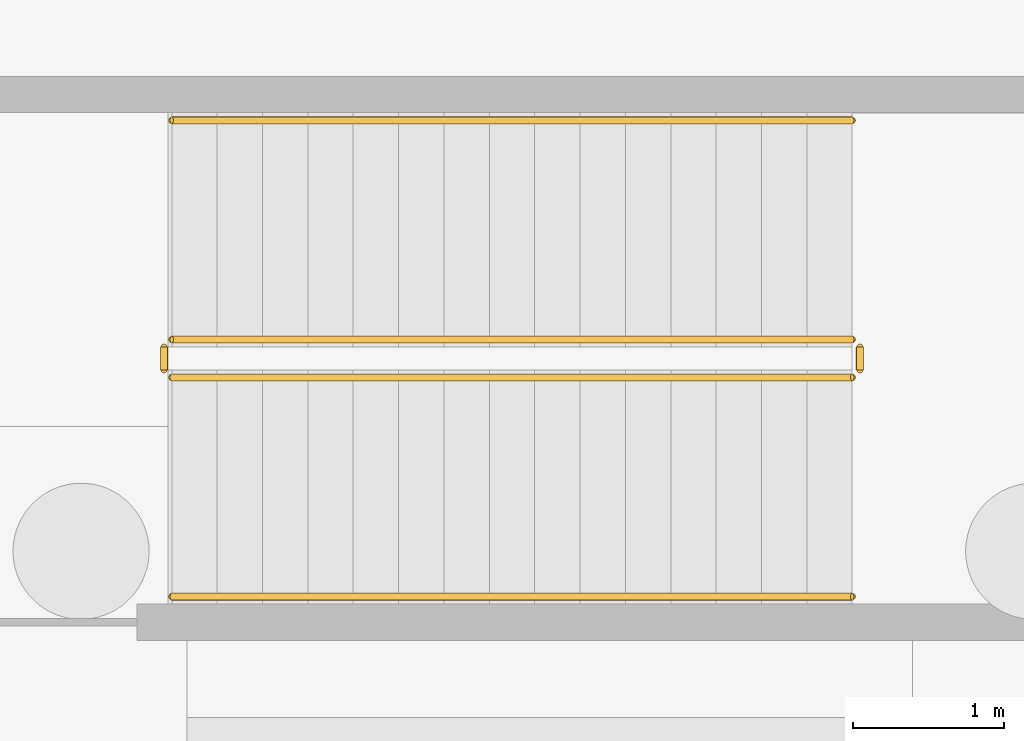
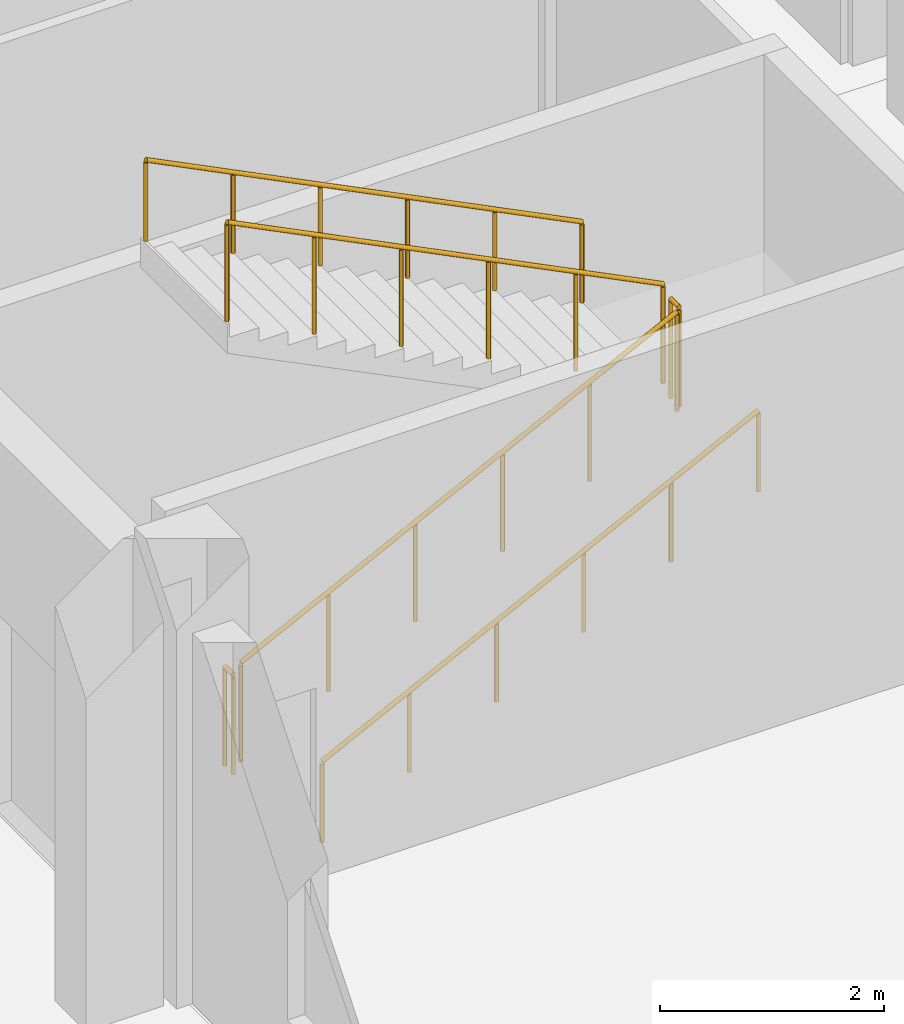
# One storey, part 89 of 112: 6 railings.
"""IFC4 building model written with IfcOpenShell, lengths in metres."""

from ifc_helpers import new_model, si_unit, direction, frame, origin, origin_2d, place, context, subcontext, project, spatial, circle, extrude, material, type_object, element, save


model = new_model("IFC4")

# Units and contexts
model_context = context("Model", 3, precision=1e-05, world=origin(), true_north=direction((0.0, 1.0)))
body_context = subcontext(model_context, "Body", "Model", "MODEL_VIEW")
ifc_project = project(units=[si_unit("LENGTHUNIT", "METRE"), si_unit("AREAUNIT", "SQUARE_METRE"), si_unit("VOLUMEUNIT", "CUBIC_METRE"), si_unit("PLANEANGLEUNIT", "RADIAN"), si_unit("MASSUNIT", "GRAM", prefix="KILO")], contexts=[model_context])

# Site, building, storey
site_placement = place(None, origin())
site = spatial("IfcSite", under=ifc_project, at=site_placement, CompositionType="ELEMENT")
building_placement = place(site_placement, origin())
building = spatial("IfcBuilding", under=site, at=building_placement, Name="Tharagai Park Tramway Depot", CompositionType="ELEMENT")
storey_placement = place(building_placement, origin())
storey = spatial("IfcBuildingStorey", under=building, at=storey_placement, Name="L00", CompositionType="ELEMENT", Elevation=0.0)

# Railings
ifc_material = material(Name="Galvanised steel", Category="steel")
railing_type_1 = type_object("IfcRailingType", Name="HR-02", PredefinedType="GUARDRAIL", material=ifc_material)
railing_1_placement = place(storey_placement, frame((1.949951171875, 20.5, 0.14990234375)))
element("IfcRailing", 1, at=railing_1_placement, inside=storey, type_object=railing_type_1, Name="L00 ST-03 stair guard 1", PredefinedType="GUARDRAIL", context=body_context, shape_type="SweptSolid", body=[
    extrude(circle(Radius=0.02392578125, at=origin_2d()), frame((0.0, 0.0, 1.076171875), z_axis=(0.894427191, 0.0, 0.4472135955), x_axis=(0.0, 1.0, 0.0)), (0.0, 0.0, 1.0), 5.03125),
    extrude(circle(Radius=0.02099609375, at=origin_2d()), origin(), (0.0, 0.0, 1.0), 1.052001953125),
    extrude(circle(Radius=0.02099609375, at=origin_2d()), frame((0.89990234375, 0.0, 0.449951171875)), (0.0, 0.0, 1.0), 1.052001953125),
    extrude(circle(Radius=0.02099609375, at=origin_2d()), frame((1.800048828125, 0.0, 0.89990234375)), (0.0, 0.0, 1.0), 1.052001953125),
    extrude(circle(Radius=0.02099609375, at=origin_2d()), frame((2.699951171875, 0.0, 1.35009765625)), (0.0, 0.0, 1.0), 1.052001953125),
    extrude(circle(Radius=0.02099609375, at=origin_2d()), frame((3.60009765625, 0.0, 1.800048828125)), (0.0, 0.0, 1.0), 1.052001953125),
    extrude(circle(Radius=0.02099609375, at=origin_2d()), frame((4.5, 0.0, 2.25)), (0.0, 0.0, 1.0), 1.052001953125),
])
railing_2_placement = place(storey_placement, frame((6.5, 20.550048828125, 2.39990234375)))
element("IfcRailing", 2, at=railing_2_placement, inside=storey, type_object=railing_type_1, Name="L00 ST-03 stair guard 2", PredefinedType="GUARDRAIL", context=body_context, shape_type="SweptSolid", body=[
    extrude(circle(Radius=0.02392578125, at=origin_2d()), frame((0.0, 0.0, 1.076171875), z_axis=(0.0, 1.0, 0.0), x_axis=(-1.0, 0.0, 0.0)), (0.0, 0.0, 1.0), 0.14990234375),
    extrude(circle(Radius=0.02099609375, at=origin_2d()), origin(), (0.0, 0.0, 1.0), 1.052001953125),
    extrude(circle(Radius=0.02099609375, at=origin_2d()), frame((0.0, 0.14990234375, 0.0)), (0.0, 0.0, 1.0), 1.052001953125),
])
railing_3_placement = place(storey_placement, frame((6.449951171875, 20.75, 2.550048828125)))
element("IfcRailing", 3, at=railing_3_placement, inside=storey, type_object=railing_type_1, Name="L00 ST-03 stair guard 3", PredefinedType="GUARDRAIL", context=body_context, shape_type="SweptSolid", body=[
    extrude(circle(Radius=0.02392578125, at=origin_2d()), frame((0.0, 0.0, 1.076171875), z_axis=(-0.894427191, 0.0, 0.4472135955), x_axis=(0.0, -1.0, 0.0)), (0.0, 0.0, 1.0), 5.03125),
    extrude(circle(Radius=0.02099609375, at=origin_2d()), origin(), (0.0, 0.0, 1.0), 1.052001953125),
    extrude(circle(Radius=0.02099609375, at=origin_2d()), frame((-0.89990234375, 0.0, 0.449951171875)), (0.0, 0.0, 1.0), 1.052001953125),
    extrude(circle(Radius=0.02099609375, at=origin_2d()), frame((-1.800048828125, 0.0, 0.89990234375)), (0.0, 0.0, 1.0), 1.052001953125),
    extrude(circle(Radius=0.02099609375, at=origin_2d()), frame((-2.699951171875, 0.0, 1.35009765625)), (0.0, 0.0, 1.0), 1.052001953125),
    extrude(circle(Radius=0.02099609375, at=origin_2d()), frame((-3.60009765625, 0.0, 1.800048828125)), (0.0, 0.0, 1.0), 1.052001953125),
    extrude(circle(Radius=0.02099609375, at=origin_2d()), frame((-4.5, 0.0, 2.25)), (0.0, 0.0, 1.0), 1.052001953125),
])
railing_4_placement = place(storey_placement, frame((1.89990234375, 20.550048828125, 0.0)))
element("IfcRailing", 4, at=railing_4_placement, inside=storey, type_object=railing_type_1, Name="L00 ST-03 stair guard 4", PredefinedType="GUARDRAIL", context=body_context, shape_type="SweptSolid", body=[
    extrude(circle(Radius=0.02392578125, at=origin_2d()), frame((0.0, 0.0, 1.076171875), z_axis=(0.0, 1.0, 0.0), x_axis=(-1.0, 0.0, 0.0)), (0.0, 0.0, 1.0), 0.14990234375),
    extrude(circle(Radius=0.02099609375, at=origin_2d()), origin(), (0.0, 0.0, 1.0), 1.052001953125),
    extrude(circle(Radius=0.02099609375, at=origin_2d()), frame((0.0, 0.14990234375, 0.0)), (0.0, 0.0, 1.0), 1.052001953125),
])
railing_type_2 = type_object("IfcRailingType", Name="HR-03", PredefinedType="HANDRAIL", material=ifc_material)
railing_5_placement = place(storey_placement, frame((1.949951171875, 19.050048828125, 0.14990234375)))
element("IfcRailing", 5, at=railing_5_placement, inside=storey, type_object=railing_type_2, Name="L00 ST-03 stair handrail 1", PredefinedType="HANDRAIL", context=body_context, shape_type="SweptSolid", body=[
    extrude(circle(Radius=0.02392578125, at=origin_2d()), frame((0.0, 0.0, 0.8759765625), z_axis=(0.894427191, 0.0, 0.4472135955), x_axis=(0.0, 1.0, 0.0)), (0.0, 0.0, 1.0), 5.03125),
    extrude(circle(Radius=0.02099609375, at=origin_2d()), origin(), (0.0, 0.0, 1.0), 0.851806640625),
    extrude(circle(Radius=0.02099609375, at=origin_2d()), frame((0.89990234375, 0.0, 0.449951171875)), (0.0, 0.0, 1.0), 0.851806640625),
    extrude(circle(Radius=0.02099609375, at=origin_2d()), frame((1.800048828125, 0.0, 0.89990234375)), (0.0, 0.0, 1.0), 0.851806640625),
    extrude(circle(Radius=0.02099609375, at=origin_2d()), frame((2.699951171875, 0.0, 1.35009765625)), (0.0, 0.0, 1.0), 0.851806640625),
    extrude(circle(Radius=0.02099609375, at=origin_2d()), frame((3.60009765625, 0.0, 1.800048828125)), (0.0, 0.0, 1.0), 0.851806640625),
    extrude(circle(Radius=0.02099609375, at=origin_2d()), frame((4.5, 0.0, 2.25)), (0.0, 0.0, 1.0), 0.851806640625),
])
railing_6_placement = place(storey_placement, frame((6.449951171875, 22.199951171875, 2.550048828125)))
element("IfcRailing", 6, at=railing_6_placement, inside=storey, type_object=railing_type_2, Name="L00 ST-03 stair handrail 2", PredefinedType="HANDRAIL", context=body_context, shape_type="SweptSolid", body=[
    extrude(circle(Radius=0.02392578125, at=origin_2d()), frame((0.0, 0.0, 0.8759765625), z_axis=(-0.894427191, 0.0, 0.4472135955), x_axis=(0.0, -1.0, 0.0)), (0.0, 0.0, 1.0), 5.03125),
    extrude(circle(Radius=0.02099609375, at=origin_2d()), origin(), (0.0, 0.0, 1.0), 0.851806640625),
    extrude(circle(Radius=0.02099609375, at=origin_2d()), frame((-0.89990234375, 0.0, 0.449951171875)), (0.0, 0.0, 1.0), 0.851806640625),
    extrude(circle(Radius=0.02099609375, at=origin_2d()), frame((-1.800048828125, 0.0, 0.89990234375)), (0.0, 0.0, 1.0), 0.851806640625),
    extrude(circle(Radius=0.02099609375, at=origin_2d()), frame((-2.699951171875, 0.0, 1.35009765625)), (0.0, 0.0, 1.0), 0.851806640625),
    extrude(circle(Radius=0.02099609375, at=origin_2d()), frame((-3.60009765625, 0.0, 1.800048828125)), (0.0, 0.0, 1.0), 0.851806640625),
    extrude(circle(Radius=0.02099609375, at=origin_2d()), frame((-4.5, 0.0, 2.25)), (0.0, 0.0, 1.0), 0.851806640625),
])

save(model, "model.ifc")
